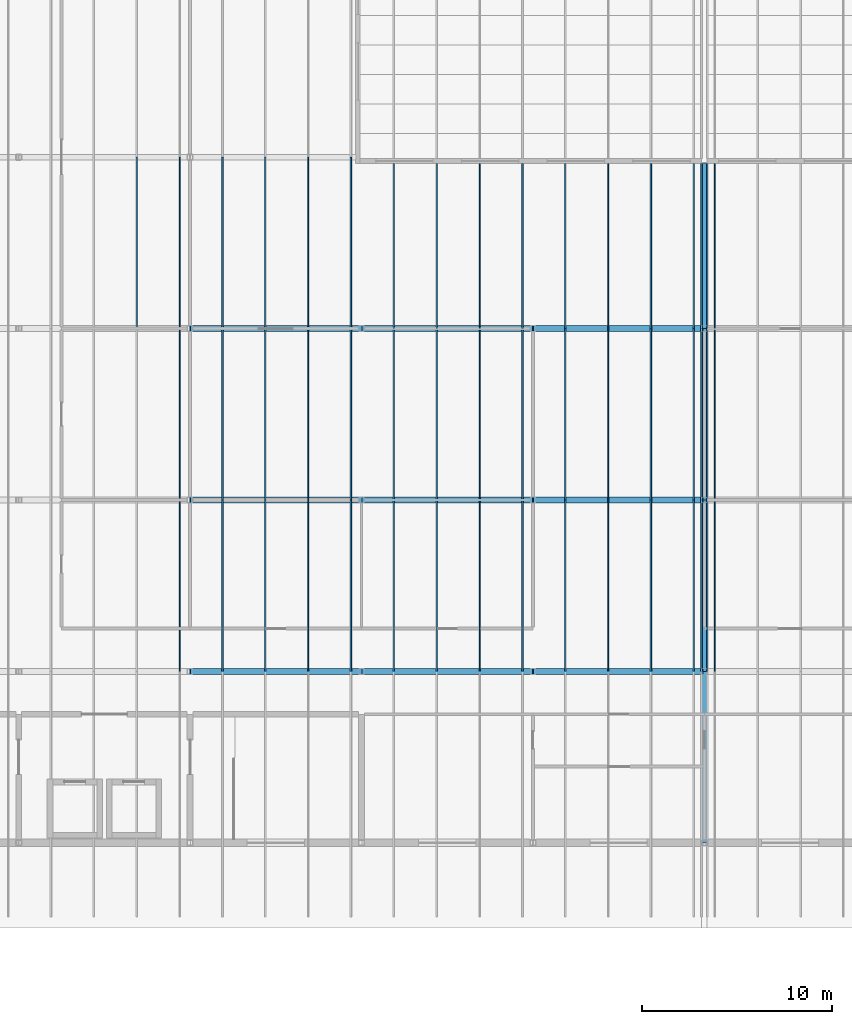
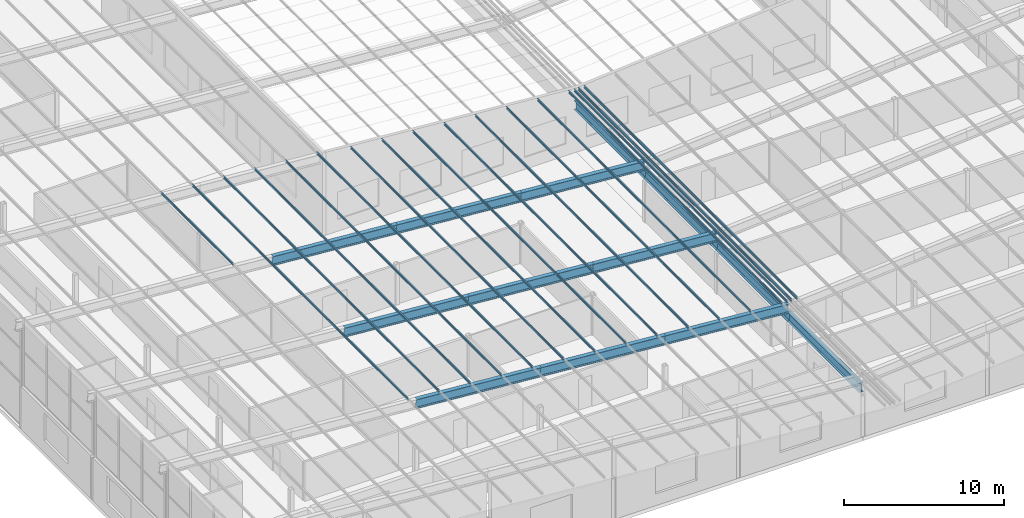
# One storey, part 32 of 85: 58 members, 4 beams.
"""IFC4 building model written with IfcOpenShell, lengths in metres."""

from ifc_helpers import new_model, si_unit, direction, frame, origin, origin_2d, place, context, subcontext, project, spatial, polyline, i_section, outline, extrude, material, material_profile, profile_set, type_object, element, save


model = new_model("IFC4")

# Units and contexts
model_context = context("Model", 3, precision=1e-05, world=origin(), true_north=direction((0.0, 1.0)))
body_context = subcontext(model_context, "Body", "Model", "MODEL_VIEW")
ifc_project = project(units=[si_unit("LENGTHUNIT", "METRE"), si_unit("AREAUNIT", "SQUARE_METRE"), si_unit("VOLUMEUNIT", "CUBIC_METRE"), si_unit("PLANEANGLEUNIT", "RADIAN"), si_unit("MASSUNIT", "GRAM", prefix="KILO")], contexts=[model_context])

# Site, building, storey
site_placement = place(None, origin())
site = spatial("IfcSite", under=ifc_project, at=site_placement, CompositionType="ELEMENT")
building_placement = place(site_placement, origin())
building = spatial("IfcBuilding", under=site, at=building_placement, Name="Opaline Strait Convention Centre", CompositionType="ELEMENT")
storey_placement = place(building_placement, frame((0.0, 0.0, 17.0)))
storey = spatial("IfcBuildingStorey", under=building, at=storey_placement, Name="L03", CompositionType="ELEMENT", Elevation=17.0)

# Members
ifc_material = material(Name="Steel Q355B", Category="steel")
ifc_material_profile_1 = material_profile(ifc_material, outline(polyline([(-0.034912109375, -0.10009765625), (0.034912109375, -0.10009765625), (0.034912109375, -0.080078125), (0.032470703125, -0.080078125), (0.032470703125, -0.097412109375), (-0.032470703125, -0.097412109375), (-0.032470703125, 0.097412109375), (0.032470703125, 0.097412109375), (0.032470703125, 0.080078125), (0.034912109375, 0.080078125), (0.034912109375, 0.10009765625), (-0.034912109375, 0.10009765625), (-0.034912109375, -0.10009765625)])), Name="C 200x70x20x2.5")
ifc_profile_set_1 = profile_set([ifc_material_profile_1], Name="Steel Q355B")
member_type_1 = type_object("IfcMemberType", Name="Roof purlin C 200x70x20x2.5", PredefinedType="PURLIN", material=ifc_profile_set_1)
for number, where, z_axis, x_axis, name in (
    (1, (323.85009765625, 99.0, 4.814208984375), (0.0, 1.0, 0.0), (-0.996917333733, 0.0, -0.078459095728), "MRP1 purlin W wing 2"),
    (2, (323.85009765625, 108.0, 4.814208984375), (0.0, 1.0, 0.0), (-0.996917333733, 0.0, -0.078459095728), "MRP1 purlin W wing 3"),
):
    element("IfcMember", number, at=place(storey_placement, frame(where, z_axis=z_axis, x_axis=x_axis)), inside=storey, type_object=member_type_1, Name=name, PredefinedType="PURLIN", context=body_context, shape_type="SweptSolid", body=[
        extrude(outline(polyline([(-0.034912109375, -0.10009765625), (0.034912109375, -0.10009765625), (0.034912109375, -0.080078125), (0.032470703125, -0.080078125), (0.032470703125, -0.097412109375), (-0.032470703125, -0.097412109375), (-0.032470703125, 0.097412109375), (0.032470703125, 0.097412109375), (0.032470703125, 0.080078125), (0.034912109375, 0.080078125), (0.034912109375, 0.10009765625), (-0.034912109375, 0.10009765625), (-0.034912109375, -0.10009765625)])), origin(), (0.0, 0.0, 1.0), 9.0),
    ])
member_1_placement = place(storey_placement, frame((323.85009765625, 117.0, 4.814208984375), z_axis=(0.0, 1.0, 0.0), x_axis=(-0.996917333733, 0.0, -0.078459095728)))
element("IfcMember", 3, at=member_1_placement, inside=storey, type_object=member_type_1, Name="MRP1 purlin W wing 4", PredefinedType="PURLIN", context=body_context, shape_type="SweptSolid", body=[
    extrude(outline(polyline([(-0.034912109375, -0.10009765625), (0.034912109375, -0.10009765625), (0.034912109375, -0.080078125), (0.032470703125, -0.080078125), (0.032470703125, -0.097412109375), (-0.032470703125, -0.097412109375), (-0.032470703125, 0.097412109375), (0.032470703125, 0.097412109375), (0.032470703125, 0.080078125), (0.034912109375, 0.080078125), (0.034912109375, 0.10009765625), (-0.034912109375, 0.10009765625), (-0.034912109375, -0.10009765625)])), origin(), (0.0, 0.0, 1.0), 8.675048828125),
])
for number, where, z_axis, x_axis, name in (
    (4, (323.449951171875, 99.0, 4.845703125), (0.0, 1.0, 0.0), (-0.996917333733, 0.0, -0.078459095728), "MRP1 purlin W wing 12"),
    (5, (323.449951171875, 108.0, 4.845703125), (0.0, 1.0, 0.0), (-0.996917333733, 0.0, -0.078459095728), "MRP1 purlin W wing 13"),
):
    element("IfcMember", number, at=place(storey_placement, frame(where, z_axis=z_axis, x_axis=x_axis)), inside=storey, type_object=member_type_1, Name=name, PredefinedType="PURLIN", context=body_context, shape_type="SweptSolid", body=[
        extrude(outline(polyline([(-0.034912109375, -0.10009765625), (0.034912109375, -0.10009765625), (0.034912109375, -0.080078125), (0.032470703125, -0.080078125), (0.032470703125, -0.097412109375), (-0.032470703125, -0.097412109375), (-0.032470703125, 0.097412109375), (0.032470703125, 0.097412109375), (0.032470703125, 0.080078125), (0.034912109375, 0.080078125), (0.034912109375, 0.10009765625), (-0.034912109375, 0.10009765625), (-0.034912109375, -0.10009765625)])), origin(), (0.0, 0.0, 1.0), 9.0),
    ])
member_2_placement = place(storey_placement, frame((323.449951171875, 117.0, 4.845703125), z_axis=(0.0, 1.0, 0.0), x_axis=(-0.996917333733, 0.0, -0.078459095728)))
element("IfcMember", 6, at=member_2_placement, inside=storey, type_object=member_type_1, Name="MRP1 purlin W wing 14", PredefinedType="PURLIN", context=body_context, shape_type="SweptSolid", body=[
    extrude(outline(polyline([(-0.034912109375, -0.10009765625), (0.034912109375, -0.10009765625), (0.034912109375, -0.080078125), (0.032470703125, -0.080078125), (0.032470703125, -0.097412109375), (-0.032470703125, -0.097412109375), (-0.032470703125, 0.097412109375), (0.032470703125, 0.097412109375), (0.032470703125, 0.080078125), (0.034912109375, 0.080078125), (0.034912109375, 0.10009765625), (-0.034912109375, 0.10009765625), (-0.034912109375, -0.10009765625)])), origin(), (0.0, 0.0, 1.0), 8.675048828125),
])
for number, where, z_axis, x_axis, name in (
    (7, (321.199951171875, 99.0, 5.02294921875), (0.0, 1.0, 0.0), (-0.996917333733, 0.0, -0.078459095728), "MRP1 purlin W wing 22"),
    (8, (321.199951171875, 108.0, 5.02294921875), (0.0, 1.0, 0.0), (-0.996917333733, 0.0, -0.078459095728), "MRP1 purlin W wing 23"),
):
    element("IfcMember", number, at=place(storey_placement, frame(where, z_axis=z_axis, x_axis=x_axis)), inside=storey, type_object=member_type_1, Name=name, PredefinedType="PURLIN", context=body_context, shape_type="SweptSolid", body=[
        extrude(outline(polyline([(-0.034912109375, -0.10009765625), (0.034912109375, -0.10009765625), (0.034912109375, -0.080078125), (0.032470703125, -0.080078125), (0.032470703125, -0.097412109375), (-0.032470703125, -0.097412109375), (-0.032470703125, 0.097412109375), (0.032470703125, 0.097412109375), (0.032470703125, 0.080078125), (0.034912109375, 0.080078125), (0.034912109375, 0.10009765625), (-0.034912109375, 0.10009765625), (-0.034912109375, -0.10009765625)])), origin(), (0.0, 0.0, 1.0), 9.0),
    ])
member_3_placement = place(storey_placement, frame((321.199951171875, 117.0, 5.02294921875), z_axis=(0.0, 1.0, 0.0), x_axis=(-0.996917333733, 0.0, -0.078459095728)))
element("IfcMember", 9, at=member_3_placement, inside=storey, type_object=member_type_1, Name="MRP1 purlin W wing 24", PredefinedType="PURLIN", context=body_context, shape_type="SweptSolid", body=[
    extrude(outline(polyline([(-0.034912109375, -0.10009765625), (0.034912109375, -0.10009765625), (0.034912109375, -0.080078125), (0.032470703125, -0.080078125), (0.032470703125, -0.097412109375), (-0.032470703125, -0.097412109375), (-0.032470703125, 0.097412109375), (0.032470703125, 0.097412109375), (0.032470703125, 0.080078125), (0.034912109375, 0.080078125), (0.034912109375, 0.10009765625), (-0.034912109375, 0.10009765625), (-0.034912109375, -0.10009765625)])), origin(), (0.0, 0.0, 1.0), 8.675048828125),
])
for number, where, z_axis, x_axis, name in (
    (10, (318.949951171875, 99.0, 5.199951171875), (0.0, 1.0, 0.0), (-0.996917333733, 0.0, -0.078459095728), "MRP1 purlin W wing 32"),
    (11, (318.949951171875, 108.0, 5.199951171875), (0.0, 1.0, 0.0), (-0.996917333733, 0.0, -0.078459095728), "MRP1 purlin W wing 33"),
):
    element("IfcMember", number, at=place(storey_placement, frame(where, z_axis=z_axis, x_axis=x_axis)), inside=storey, type_object=member_type_1, Name=name, PredefinedType="PURLIN", context=body_context, shape_type="SweptSolid", body=[
        extrude(outline(polyline([(-0.034912109375, -0.10009765625), (0.034912109375, -0.10009765625), (0.034912109375, -0.080078125), (0.032470703125, -0.080078125), (0.032470703125, -0.097412109375), (-0.032470703125, -0.097412109375), (-0.032470703125, 0.097412109375), (0.032470703125, 0.097412109375), (0.032470703125, 0.080078125), (0.034912109375, 0.080078125), (0.034912109375, 0.10009765625), (-0.034912109375, 0.10009765625), (-0.034912109375, -0.10009765625)])), origin(), (0.0, 0.0, 1.0), 9.0),
    ])
member_4_placement = place(storey_placement, frame((318.949951171875, 117.0, 5.199951171875), z_axis=(0.0, 1.0, 0.0), x_axis=(-0.996917333733, 0.0, -0.078459095728)))
element("IfcMember", 12, at=member_4_placement, inside=storey, type_object=member_type_1, Name="MRP1 purlin W wing 34", PredefinedType="PURLIN", context=body_context, shape_type="SweptSolid", body=[
    extrude(outline(polyline([(-0.034912109375, -0.10009765625), (0.034912109375, -0.10009765625), (0.034912109375, -0.080078125), (0.032470703125, -0.080078125), (0.032470703125, -0.097412109375), (-0.032470703125, -0.097412109375), (-0.032470703125, 0.097412109375), (0.032470703125, 0.097412109375), (0.032470703125, 0.080078125), (0.034912109375, 0.080078125), (0.034912109375, 0.10009765625), (-0.034912109375, 0.10009765625), (-0.034912109375, -0.10009765625)])), origin(), (0.0, 0.0, 1.0), 8.675048828125),
])
for number, where, z_axis, x_axis, name in (
    (13, (316.699951171875, 99.0, 5.376953125), (0.0, 1.0, 0.0), (-0.996917333733, 0.0, -0.078459095728), "MRP1 purlin W wing 42"),
    (14, (316.699951171875, 108.0, 5.376953125), (0.0, 1.0, 0.0), (-0.996917333733, 0.0, -0.078459095728), "MRP1 purlin W wing 43"),
):
    element("IfcMember", number, at=place(storey_placement, frame(where, z_axis=z_axis, x_axis=x_axis)), inside=storey, type_object=member_type_1, Name=name, PredefinedType="PURLIN", context=body_context, shape_type="SweptSolid", body=[
        extrude(outline(polyline([(-0.034912109375, -0.10009765625), (0.034912109375, -0.10009765625), (0.034912109375, -0.080078125), (0.032470703125, -0.080078125), (0.032470703125, -0.097412109375), (-0.032470703125, -0.097412109375), (-0.032470703125, 0.097412109375), (0.032470703125, 0.097412109375), (0.032470703125, 0.080078125), (0.034912109375, 0.080078125), (0.034912109375, 0.10009765625), (-0.034912109375, 0.10009765625), (-0.034912109375, -0.10009765625)])), origin(), (0.0, 0.0, 1.0), 9.0),
    ])
member_5_placement = place(storey_placement, frame((316.699951171875, 117.0, 5.376953125), z_axis=(0.0, 1.0, 0.0), x_axis=(-0.996917333733, 0.0, -0.078459095728)))
element("IfcMember", 15, at=member_5_placement, inside=storey, type_object=member_type_1, Name="MRP1 purlin W wing 44", PredefinedType="PURLIN", context=body_context, shape_type="SweptSolid", body=[
    extrude(outline(polyline([(-0.034912109375, -0.10009765625), (0.034912109375, -0.10009765625), (0.034912109375, -0.080078125), (0.032470703125, -0.080078125), (0.032470703125, -0.097412109375), (-0.032470703125, -0.097412109375), (-0.032470703125, 0.097412109375), (0.032470703125, 0.097412109375), (0.032470703125, 0.080078125), (0.034912109375, 0.080078125), (0.034912109375, 0.10009765625), (-0.034912109375, 0.10009765625), (-0.034912109375, -0.10009765625)])), origin(), (0.0, 0.0, 1.0), 8.675048828125),
])
for number, where, z_axis, x_axis, name in (
    (16, (314.449951171875, 99.0, 5.553955078125), (0.0, 1.0, 0.0), (-0.996917333733, 0.0, -0.078459095728), "MRP1 purlin W wing 52"),
    (17, (314.449951171875, 108.0, 5.553955078125), (0.0, 1.0, 0.0), (-0.996917333733, 0.0, -0.078459095728), "MRP1 purlin W wing 53"),
):
    element("IfcMember", number, at=place(storey_placement, frame(where, z_axis=z_axis, x_axis=x_axis)), inside=storey, type_object=member_type_1, Name=name, PredefinedType="PURLIN", context=body_context, shape_type="SweptSolid", body=[
        extrude(outline(polyline([(-0.034912109375, -0.10009765625), (0.034912109375, -0.10009765625), (0.034912109375, -0.080078125), (0.032470703125, -0.080078125), (0.032470703125, -0.097412109375), (-0.032470703125, -0.097412109375), (-0.032470703125, 0.097412109375), (0.032470703125, 0.097412109375), (0.032470703125, 0.080078125), (0.034912109375, 0.080078125), (0.034912109375, 0.10009765625), (-0.034912109375, 0.10009765625), (-0.034912109375, -0.10009765625)])), origin(), (0.0, 0.0, 1.0), 9.0),
    ])
member_6_placement = place(storey_placement, frame((314.449951171875, 117.0, 5.553955078125), z_axis=(0.0, 1.0, 0.0), x_axis=(-0.996917333733, 0.0, -0.078459095728)))
element("IfcMember", 18, at=member_6_placement, inside=storey, type_object=member_type_1, Name="MRP1 purlin W wing 54", PredefinedType="PURLIN", context=body_context, shape_type="SweptSolid", body=[
    extrude(outline(polyline([(-0.034912109375, -0.10009765625), (0.034912109375, -0.10009765625), (0.034912109375, -0.080078125), (0.032470703125, -0.080078125), (0.032470703125, -0.097412109375), (-0.032470703125, -0.097412109375), (-0.032470703125, 0.097412109375), (0.032470703125, 0.097412109375), (0.032470703125, 0.080078125), (0.034912109375, 0.080078125), (0.034912109375, 0.10009765625), (-0.034912109375, 0.10009765625), (-0.034912109375, -0.10009765625)])), origin(), (0.0, 0.0, 1.0), 8.675048828125),
])
for number, where, z_axis, x_axis, name in (
    (19, (312.199951171875, 99.0, 5.731201171875), (0.0, 1.0, 0.0), (-0.996917333733, 0.0, -0.078459095728), "MRP1 purlin W wing 62"),
    (20, (312.199951171875, 108.0, 5.731201171875), (0.0, 1.0, 0.0), (-0.996917333733, 0.0, -0.078459095728), "MRP1 purlin W wing 63"),
):
    element("IfcMember", number, at=place(storey_placement, frame(where, z_axis=z_axis, x_axis=x_axis)), inside=storey, type_object=member_type_1, Name=name, PredefinedType="PURLIN", context=body_context, shape_type="SweptSolid", body=[
        extrude(outline(polyline([(-0.034912109375, -0.10009765625), (0.034912109375, -0.10009765625), (0.034912109375, -0.080078125), (0.032470703125, -0.080078125), (0.032470703125, -0.097412109375), (-0.032470703125, -0.097412109375), (-0.032470703125, 0.097412109375), (0.032470703125, 0.097412109375), (0.032470703125, 0.080078125), (0.034912109375, 0.080078125), (0.034912109375, 0.10009765625), (-0.034912109375, 0.10009765625), (-0.034912109375, -0.10009765625)])), origin(), (0.0, 0.0, 1.0), 9.0),
    ])
member_7_placement = place(storey_placement, frame((312.199951171875, 117.0, 5.731201171875), z_axis=(0.0, 1.0, 0.0), x_axis=(-0.996917333733, 0.0, -0.078459095728)))
element("IfcMember", 21, at=member_7_placement, inside=storey, type_object=member_type_1, Name="MRP1 purlin W wing 64", PredefinedType="PURLIN", context=body_context, shape_type="SweptSolid", body=[
    extrude(outline(polyline([(-0.034912109375, -0.10009765625), (0.034912109375, -0.10009765625), (0.034912109375, -0.080078125), (0.032470703125, -0.080078125), (0.032470703125, -0.097412109375), (-0.032470703125, -0.097412109375), (-0.032470703125, 0.097412109375), (0.032470703125, 0.097412109375), (0.032470703125, 0.080078125), (0.034912109375, 0.080078125), (0.034912109375, 0.10009765625), (-0.034912109375, 0.10009765625), (-0.034912109375, -0.10009765625)])), origin(), (0.0, 0.0, 1.0), 8.675048828125),
])
for number, where, z_axis, x_axis, name in (
    (22, (309.949951171875, 99.0, 5.908203125), (0.0, 1.0, 0.0), (-0.996917333733, 0.0, -0.078459095728), "MRP1 purlin W wing 72"),
    (23, (309.949951171875, 108.0, 5.908203125), (0.0, 1.0, 0.0), (-0.996917333733, 0.0, -0.078459095728), "MRP1 purlin W wing 73"),
):
    element("IfcMember", number, at=place(storey_placement, frame(where, z_axis=z_axis, x_axis=x_axis)), inside=storey, type_object=member_type_1, Name=name, PredefinedType="PURLIN", context=body_context, shape_type="SweptSolid", body=[
        extrude(outline(polyline([(-0.034912109375, -0.10009765625), (0.034912109375, -0.10009765625), (0.034912109375, -0.080078125), (0.032470703125, -0.080078125), (0.032470703125, -0.097412109375), (-0.032470703125, -0.097412109375), (-0.032470703125, 0.097412109375), (0.032470703125, 0.097412109375), (0.032470703125, 0.080078125), (0.034912109375, 0.080078125), (0.034912109375, 0.10009765625), (-0.034912109375, 0.10009765625), (-0.034912109375, -0.10009765625)])), origin(), (0.0, 0.0, 1.0), 9.0),
    ])
member_8_placement = place(storey_placement, frame((309.949951171875, 117.0, 5.908203125), z_axis=(0.0, 1.0, 0.0), x_axis=(-0.996917333733, 0.0, -0.078459095728)))
element("IfcMember", 24, at=member_8_placement, inside=storey, type_object=member_type_1, Name="MRP1 purlin W wing 74", PredefinedType="PURLIN", context=body_context, shape_type="SweptSolid", body=[
    extrude(outline(polyline([(-0.034912109375, -0.10009765625), (0.034912109375, -0.10009765625), (0.034912109375, -0.080078125), (0.032470703125, -0.080078125), (0.032470703125, -0.097412109375), (-0.032470703125, -0.097412109375), (-0.032470703125, 0.097412109375), (0.032470703125, 0.097412109375), (0.032470703125, 0.080078125), (0.034912109375, 0.080078125), (0.034912109375, 0.10009765625), (-0.034912109375, 0.10009765625), (-0.034912109375, -0.10009765625)])), origin(), (0.0, 0.0, 1.0), 8.675048828125),
])
for number, where, z_axis, x_axis, name in (
    (25, (307.699951171875, 99.0, 6.085205078125), (0.0, 1.0, 0.0), (-0.996917333733, 0.0, -0.078459095728), "MRP1 purlin W wing 82"),
    (26, (307.699951171875, 108.0, 6.085205078125), (0.0, 1.0, 0.0), (-0.996917333733, 0.0, -0.078459095728), "MRP1 purlin W wing 83"),
):
    element("IfcMember", number, at=place(storey_placement, frame(where, z_axis=z_axis, x_axis=x_axis)), inside=storey, type_object=member_type_1, Name=name, PredefinedType="PURLIN", context=body_context, shape_type="SweptSolid", body=[
        extrude(outline(polyline([(-0.034912109375, -0.10009765625), (0.034912109375, -0.10009765625), (0.034912109375, -0.080078125), (0.032470703125, -0.080078125), (0.032470703125, -0.097412109375), (-0.032470703125, -0.097412109375), (-0.032470703125, 0.097412109375), (0.032470703125, 0.097412109375), (0.032470703125, 0.080078125), (0.034912109375, 0.080078125), (0.034912109375, 0.10009765625), (-0.034912109375, 0.10009765625), (-0.034912109375, -0.10009765625)])), origin(), (0.0, 0.0, 1.0), 9.0),
    ])
member_9_placement = place(storey_placement, frame((307.699951171875, 117.0, 6.085205078125), z_axis=(0.0, 1.0, 0.0), x_axis=(-0.996917333733, 0.0, -0.078459095728)))
element("IfcMember", 27, at=member_9_placement, inside=storey, type_object=member_type_1, Name="MRP1 purlin W wing 84", PredefinedType="PURLIN", context=body_context, shape_type="SweptSolid", body=[
    extrude(outline(polyline([(-0.034912109375, -0.10009765625), (0.034912109375, -0.10009765625), (0.034912109375, -0.080078125), (0.032470703125, -0.080078125), (0.032470703125, -0.097412109375), (-0.032470703125, -0.097412109375), (-0.032470703125, 0.097412109375), (0.032470703125, 0.097412109375), (0.032470703125, 0.080078125), (0.034912109375, 0.080078125), (0.034912109375, 0.10009765625), (-0.034912109375, 0.10009765625), (-0.034912109375, -0.10009765625)])), origin(), (0.0, 0.0, 1.0), 8.675048828125),
])
for number, where, z_axis, x_axis, name in (
    (28, (305.449951171875, 99.0, 6.262451171875), (0.0, 1.0, 0.0), (-0.996917333733, 0.0, -0.078459095728), "MRP1 purlin W wing 92"),
    (29, (305.449951171875, 108.0, 6.262451171875), (0.0, 1.0, 0.0), (-0.996917333733, 0.0, -0.078459095728), "MRP1 purlin W wing 93"),
    (30, (305.449951171875, 117.0, 6.262451171875), (0.0, 1.0, 0.0), (-0.996917333733, 0.0, -0.078459095728), "MRP1 purlin W wing 94"),
    (31, (303.199951171875, 99.0, 6.439453125), (0.0, 1.0, 0.0), (-0.996917333733, 0.0, -0.078459095728), "MRP1 purlin W wing 102"),
    (32, (303.199951171875, 108.0, 6.439453125), (0.0, 1.0, 0.0), (-0.996917333733, 0.0, -0.078459095728), "MRP1 purlin W wing 103"),
    (33, (303.199951171875, 117.0, 6.439453125), (0.0, 1.0, 0.0), (-0.996917333733, 0.0, -0.078459095728), "MRP1 purlin W wing 104"),
    (34, (300.949951171875, 99.0, 6.616455078125), (0.0, 1.0, 0.0), (-0.996917333733, 0.0, -0.078459095728), "MRP1 purlin W wing 112"),
    (35, (300.949951171875, 108.0, 6.616455078125), (0.0, 1.0, 0.0), (-0.996917333733, 0.0, -0.078459095728), "MRP1 purlin W wing 113"),
    (36, (300.949951171875, 117.0, 6.616455078125), (0.0, 1.0, 0.0), (-0.996917333733, 0.0, -0.078459095728), "MRP1 purlin W wing 114"),
    (37, (298.699951171875, 99.0, 6.793701171875), (0.0, 1.0, 0.0), (-0.996917333733, 0.0, -0.078459095728), "MRP1 purlin W wing 122"),
    (38, (298.699951171875, 108.0, 6.793701171875), (0.0, 1.0, 0.0), (-0.996917333733, 0.0, -0.078459095728), "MRP1 purlin W wing 123"),
    (39, (298.699951171875, 117.0, 6.793701171875), (0.0, 1.0, 0.0), (-0.996917333733, 0.0, -0.078459095728), "MRP1 purlin W wing 124"),
    (40, (296.449951171875, 99.0, 6.970703125), (0.0, 1.0, 0.0), (-0.996917333733, 0.0, -0.078459095728), "MRP1 purlin W wing 132"),
    (41, (296.449951171875, 108.0, 6.970703125), (0.0, 1.0, 0.0), (-0.996917333733, 0.0, -0.078459095728), "MRP1 purlin W wing 133"),
    (42, (296.449951171875, 117.0, 6.970703125), (0.0, 1.0, 0.0), (-0.996917333733, 0.0, -0.078459095728), "MRP1 purlin W wing 134"),
    (43, (294.199951171875, 117.0, 7.147705078125), (0.0, 1.0, 0.0), (-0.996917333733, 0.0, -0.078459095728), "MRP1 purlin W wing 144"),
    (44, (324.14990234375, 99.0, 4.814208984375), (0.0, 1.0, 0.0), (-0.996917333733, 0.0, 0.078459095728), "MRP1 purlin E wing 212"),
    (45, (324.14990234375, 108.0, 4.814208984375), (0.0, 1.0, 0.0), (-0.996917333733, 0.0, 0.078459095728), "MRP1 purlin E wing 213"),
):
    element("IfcMember", number, at=place(storey_placement, frame(where, z_axis=z_axis, x_axis=x_axis)), inside=storey, type_object=member_type_1, Name=name, PredefinedType="PURLIN", context=body_context, shape_type="SweptSolid", body=[
        extrude(outline(polyline([(-0.034912109375, -0.10009765625), (0.034912109375, -0.10009765625), (0.034912109375, -0.080078125), (0.032470703125, -0.080078125), (0.032470703125, -0.097412109375), (-0.032470703125, -0.097412109375), (-0.032470703125, 0.097412109375), (0.032470703125, 0.097412109375), (0.032470703125, 0.080078125), (0.034912109375, 0.080078125), (0.034912109375, 0.10009765625), (-0.034912109375, 0.10009765625), (-0.034912109375, -0.10009765625)])), origin(), (0.0, 0.0, 1.0), 9.0),
    ])
member_10_placement = place(storey_placement, frame((324.14990234375, 117.0, 4.814208984375), z_axis=(0.0, 1.0, 0.0), x_axis=(-0.996917333733, 0.0, 0.078459095728)))
element("IfcMember", 46, at=member_10_placement, inside=storey, type_object=member_type_1, Name="MRP1 purlin E wing 214", PredefinedType="PURLIN", context=body_context, shape_type="SweptSolid", body=[
    extrude(outline(polyline([(-0.034912109375, -0.10009765625), (0.034912109375, -0.10009765625), (0.034912109375, -0.080078125), (0.032470703125, -0.080078125), (0.032470703125, -0.097412109375), (-0.032470703125, -0.097412109375), (-0.032470703125, 0.097412109375), (0.032470703125, 0.097412109375), (0.032470703125, 0.080078125), (0.034912109375, 0.080078125), (0.034912109375, 0.10009765625), (-0.034912109375, 0.10009765625), (-0.034912109375, -0.10009765625)])), origin(), (0.0, 0.0, 1.0), 8.675048828125),
])
for number, where, z_axis, x_axis, name in (
    (47, (324.550048828125, 99.0, 4.845703125), (0.0, 1.0, 0.0), (-0.996917333733, 0.0, 0.078459095728), "MRP1 purlin E wing 222"),
    (48, (324.550048828125, 108.0, 4.845703125), (0.0, 1.0, 0.0), (-0.996917333733, 0.0, 0.078459095728), "MRP1 purlin E wing 223"),
):
    element("IfcMember", number, at=place(storey_placement, frame(where, z_axis=z_axis, x_axis=x_axis)), inside=storey, type_object=member_type_1, Name=name, PredefinedType="PURLIN", context=body_context, shape_type="SweptSolid", body=[
        extrude(outline(polyline([(-0.034912109375, -0.10009765625), (0.034912109375, -0.10009765625), (0.034912109375, -0.080078125), (0.032470703125, -0.080078125), (0.032470703125, -0.097412109375), (-0.032470703125, -0.097412109375), (-0.032470703125, 0.097412109375), (0.032470703125, 0.097412109375), (0.032470703125, 0.080078125), (0.034912109375, 0.080078125), (0.034912109375, 0.10009765625), (-0.034912109375, 0.10009765625), (-0.034912109375, -0.10009765625)])), origin(), (0.0, 0.0, 1.0), 9.0),
    ])
member_11_placement = place(storey_placement, frame((324.550048828125, 117.0, 4.845703125), z_axis=(0.0, 1.0, 0.0), x_axis=(-0.996917333733, 0.0, 0.078459095728)))
element("IfcMember", 49, at=member_11_placement, inside=storey, type_object=member_type_1, Name="MRP1 purlin E wing 224", PredefinedType="PURLIN", context=body_context, shape_type="SweptSolid", body=[
    extrude(outline(polyline([(-0.034912109375, -0.10009765625), (0.034912109375, -0.10009765625), (0.034912109375, -0.080078125), (0.032470703125, -0.080078125), (0.032470703125, -0.097412109375), (-0.032470703125, -0.097412109375), (-0.032470703125, 0.097412109375), (0.032470703125, 0.097412109375), (0.032470703125, 0.080078125), (0.034912109375, 0.080078125), (0.034912109375, 0.10009765625), (-0.034912109375, 0.10009765625), (-0.034912109375, -0.10009765625)])), origin(), (0.0, 0.0, 1.0), 8.675048828125),
])
ifc_material_profile_2 = material_profile(ifc_material, i_section(OverallWidth=0.300048828125, OverallDepth=0.699951171875, WebThickness=0.012939453125, FlangeThickness=0.02392578125, FilletRadius=0.01806640625, at=origin_2d()), Name="HN 700x300x13x24")
ifc_profile_set_2 = profile_set([ifc_material_profile_2], Name="Steel Q355B")
member_type_2 = type_object("IfcMemberType", Name="Roof rafter HN 700x300x13x24", PredefinedType="RAFTER", material=ifc_profile_set_2)
for number, where, z_axis, x_axis, name in (
    (50, (297.0, 99.0, 6.47607421875), (0.996917883079, 0.0, -0.078452115311), (0.0, 1.0, 0.0), "MRR1 rafter y 99"),
    (51, (306.0, 99.0, 5.767822265625), (0.99691576767, 0.0, -0.07847899191), (0.0, 1.0, 0.0), "MRR1 rafter y 99"),
):
    element("IfcMember", number, at=place(storey_placement, frame(where, z_axis=z_axis, x_axis=x_axis)), inside=storey, type_object=member_type_2, Name=name, PredefinedType="RAFTER", context=body_context, shape_type="SweptSolid", body=[
        extrude(i_section(OverallWidth=0.300048828125, OverallDepth=0.699951171875, WebThickness=0.012939453125, FlangeThickness=0.02392578125, FilletRadius=0.01806640625, at=origin_2d()), origin(), (0.0, 0.0, 1.0), 9.02783203125),
    ])
member_12_placement = place(storey_placement, frame((315.0, 99.0, 5.059326171875), z_axis=(0.996917316665, 0.0, -0.0784593126), x_axis=(0.0, 1.0, 0.0)))
element("IfcMember", 52, at=member_12_placement, inside=storey, type_object=member_type_2, Name="MRR1 rafter y 99", PredefinedType="RAFTER", context=body_context, shape_type="SweptSolid", body=[
    extrude(i_section(OverallWidth=0.300048828125, OverallDepth=0.699951171875, WebThickness=0.012939453125, FlangeThickness=0.02392578125, FilletRadius=0.01806640625, at=origin_2d()), origin(), (0.0, 0.0, 1.0), 8.927490234375),
])
for number, where, z_axis, x_axis, name in (
    (53, (297.0, 108.0, 6.47607421875), (0.996917883079, 0.0, -0.078452115311), (0.0, 1.0, 0.0), "MRR1 rafter y 108"),
    (54, (306.0, 108.0, 5.767822265625), (0.99691576767, 0.0, -0.07847899191), (0.0, 1.0, 0.0), "MRR1 rafter y 108"),
):
    element("IfcMember", number, at=place(storey_placement, frame(where, z_axis=z_axis, x_axis=x_axis)), inside=storey, type_object=member_type_2, Name=name, PredefinedType="RAFTER", context=body_context, shape_type="SweptSolid", body=[
        extrude(i_section(OverallWidth=0.300048828125, OverallDepth=0.699951171875, WebThickness=0.012939453125, FlangeThickness=0.02392578125, FilletRadius=0.01806640625, at=origin_2d()), origin(), (0.0, 0.0, 1.0), 9.02783203125),
    ])
member_13_placement = place(storey_placement, frame((315.0, 108.0, 5.059326171875), z_axis=(0.996917316665, 0.0, -0.0784593126), x_axis=(0.0, 1.0, 0.0)))
element("IfcMember", 55, at=member_13_placement, inside=storey, type_object=member_type_2, Name="MRR1 rafter y 108", PredefinedType="RAFTER", context=body_context, shape_type="SweptSolid", body=[
    extrude(i_section(OverallWidth=0.300048828125, OverallDepth=0.699951171875, WebThickness=0.012939453125, FlangeThickness=0.02392578125, FilletRadius=0.01806640625, at=origin_2d()), origin(), (0.0, 0.0, 1.0), 8.927490234375),
])
for number, where, z_axis, x_axis, name in (
    (56, (297.0, 117.0, 6.47607421875), (0.996917883079, 0.0, -0.078452115311), (0.0, 1.0, 0.0), "MRR1 rafter y 117"),
    (57, (306.0, 117.0, 5.767822265625), (0.99691576767, 0.0, -0.07847899191), (0.0, 1.0, 0.0), "MRR1 rafter y 117"),
):
    element("IfcMember", number, at=place(storey_placement, frame(where, z_axis=z_axis, x_axis=x_axis)), inside=storey, type_object=member_type_2, Name=name, PredefinedType="RAFTER", context=body_context, shape_type="SweptSolid", body=[
        extrude(i_section(OverallWidth=0.300048828125, OverallDepth=0.699951171875, WebThickness=0.012939453125, FlangeThickness=0.02392578125, FilletRadius=0.01806640625, at=origin_2d()), origin(), (0.0, 0.0, 1.0), 9.02783203125),
    ])
member_14_placement = place(storey_placement, frame((315.0, 117.0, 5.059326171875), z_axis=(0.996917316665, 0.0, -0.0784593126), x_axis=(0.0, 1.0, 0.0)))
element("IfcMember", 58, at=member_14_placement, inside=storey, type_object=member_type_2, Name="MRR1 rafter y 117", PredefinedType="RAFTER", context=body_context, shape_type="SweptSolid", body=[
    extrude(i_section(OverallWidth=0.300048828125, OverallDepth=0.699951171875, WebThickness=0.012939453125, FlangeThickness=0.02392578125, FilletRadius=0.01806640625, at=origin_2d()), origin(), (0.0, 0.0, 1.0), 8.927490234375),
])

# Beams
ifc_material_profile_3 = material_profile(ifc_material, i_section(OverallWidth=0.300048828125, OverallDepth=0.699951171875, WebThickness=0.012939453125, FlangeThickness=0.02392578125, FilletRadius=0.01806640625, at=origin_2d()), Name="HN 700x300x13x24")
ifc_profile_set_3 = profile_set([ifc_material_profile_3], Name="Steel Q355B")
beam_type = type_object("IfcBeamType", Name="Valley beam HN 700x300x13x24", PredefinedType="BEAM", material=ifc_profile_set_3)
for number, where, z_axis, x_axis, name in (
    (59, (324.0, 90.0, 3.661865234375), (0.0, 1.0, 0.0), (-1.0, 0.0, 0.0), "MVB1 valley beam 1"),
    (60, (324.0, 99.0, 3.661865234375), (0.0, 1.0, 0.0), (-1.0, 0.0, 0.0), "MVB1 valley beam 2"),
    (61, (324.0, 108.0, 3.661865234375), (0.0, 1.0, 0.0), (-1.0, 0.0, 0.0), "MVB1 valley beam 3"),
):
    element("IfcBeam", number, at=place(storey_placement, frame(where, z_axis=z_axis, x_axis=x_axis)), inside=storey, type_object=beam_type, Name=name, PredefinedType="BEAM", context=body_context, shape_type="SweptSolid", body=[
        extrude(i_section(OverallWidth=0.300048828125, OverallDepth=0.699951171875, WebThickness=0.012939453125, FlangeThickness=0.02392578125, FilletRadius=0.01806640625, at=origin_2d()), origin(), (0.0, 0.0, 1.0), 9.0),
    ])
beam_placement = place(storey_placement, frame((324.0, 117.0, 3.661865234375), z_axis=(0.0, 1.0, 0.0), x_axis=(-1.0, 0.0, 0.0)))
element("IfcBeam", 62, at=beam_placement, inside=storey, type_object=beam_type, Name="MVB1 valley beam 4", PredefinedType="BEAM", context=body_context, shape_type="SweptSolid", body=[
    extrude(i_section(OverallWidth=0.300048828125, OverallDepth=0.699951171875, WebThickness=0.012939453125, FlangeThickness=0.02392578125, FilletRadius=0.01806640625, at=origin_2d()), origin(), (0.0, 0.0, 1.0), 8.675048828125),
])

save(model, "model.ifc")
